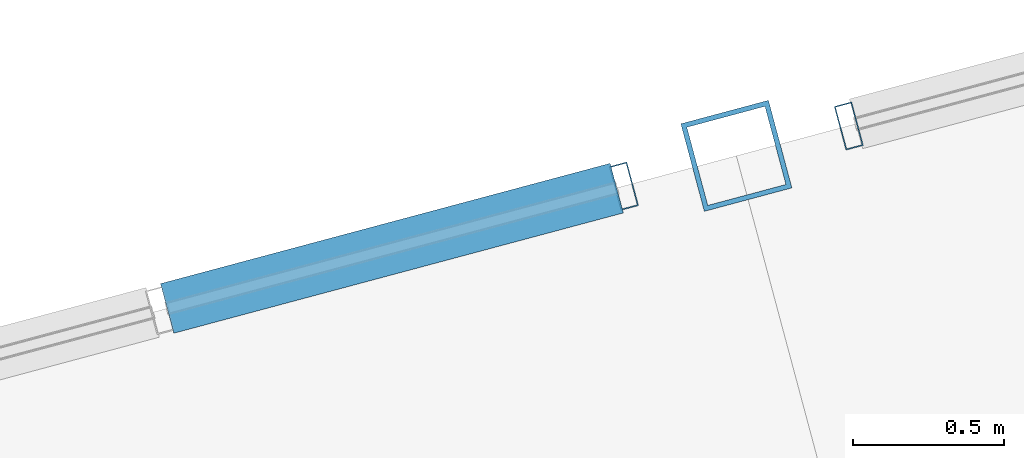
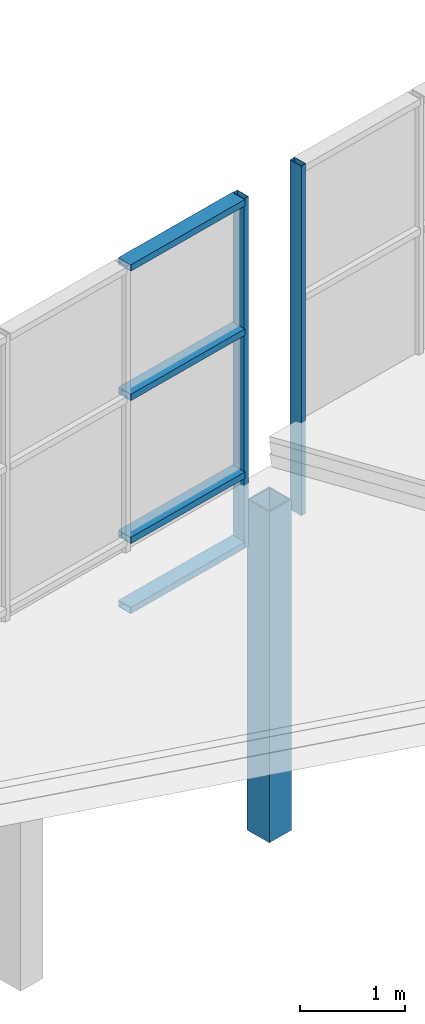
# One storey, part 11 of 28: 7 members, 2 elements without a shape of their own.
"""IFC4 building model written with IfcOpenShell, lengths in metres."""

import ifcopenshell
import ifcopenshell.guid

model = None  # the IFC model being written
_history = None  # IfcOwnerHistory: only IFC2X3 demands one
_inside = {}  # id of a spatial element -> (the spatial element, [elements in it])
_under = {}  # id of a project, library or spatial element -> (it, [spatial elements below it])
_declared = {}  # id of a project -> (the project, [libraries it declares])
_typed = {}  # id of a type object -> (the type object, [elements of that type])
_made_of = {}  # id of a material, layer set ... -> (it, [elements and type objects made of it])


def new_model(schema):
    """Start an empty IFC model of exactly this schema.

    Asked for "IFC4X3", IfcOpenShell would pick the latest addendum, in which some entities
    have other attributes; the version numbers below select the first issue.
    IFC2X3 requires an IfcOwnerHistory on every rooted entity: one is made here for all.
    """
    global model, _history
    if schema == "IFC4X3":
        model = ifcopenshell.file(schema_version=(4, 3, 0, 0))
    else:
        model = ifcopenshell.file(schema=schema)
    _inside.clear()
    _under.clear()
    _declared.clear()
    _typed.clear()
    _made_of.clear()
    _history = None
    if model.schema == "IFC2X3":
        org = make("IfcOrganization", Name="unknown")
        user = make(
            "IfcPersonAndOrganization",
            ThePerson=make("IfcPerson", FamilyName="unknown"),
            TheOrganization=org,
        )
        app = make(
            "IfcApplication",
            ApplicationDeveloper=org,
            Version="unknown",
            ApplicationFullName="unknown",
            ApplicationIdentifier="unknown",
        )
        _history = make(
            "IfcOwnerHistory",
            OwningUser=user,
            OwningApplication=app,
            ChangeAction="ADDED",
            CreationDate=0,
        )
    return model


def make(cls, **values):
    """One entity of the class cls with the attributes given. An attribute that is None is left unset."""
    return model.create_entity(
        cls, **{name: value for name, value in values.items() if value is not None}
    )


def rooted(cls, **values):
    """An entity with a GlobalId (a new one), such as an element, a storey or a relation."""
    return make(cls, GlobalId=ifcopenshell.guid.new(), OwnerHistory=_history, **values)


def si_unit(unit_type, name, prefix=None):
    """IfcSIUnit, for example si_unit("LENGTHUNIT", "METRE", prefix="MILLI")."""
    return make("IfcSIUnit", UnitType=unit_type, Prefix=prefix, Name=name)


def assignment(units):
    """IfcUnitAssignment: the units of a project."""
    return None if units is None else make("IfcUnitAssignment", Units=units)


def point(xyz):
    """IfcCartesianPoint."""
    return None if xyz is None else make("IfcCartesianPoint", Coordinates=xyz)


def direction(xyz):
    """IfcDirection."""
    return None if xyz is None else make("IfcDirection", DirectionRatios=xyz)


def frame(location, z_axis=None, x_axis=None):
    """IfcAxis2Placement3D, a coordinate frame: its origin and axes. An axis left out is left unset."""
    return make(
        "IfcAxis2Placement3D",
        Location=point(location),
        Axis=direction(z_axis),
        RefDirection=direction(x_axis),
    )


def frame_2d(location, x_axis=None):
    """IfcAxis2Placement2D, a coordinate frame in the plane: its origin and x axis."""
    return make(
        "IfcAxis2Placement2D", Location=point(location), RefDirection=direction(x_axis)
    )


def origin():
    """The frame at (0, 0, 0) with its axes left unset."""
    return frame((0.0, 0.0, 0.0))


def origin_2d():
    """The frame at (0, 0) in the plane with its x axis left unset."""
    return frame_2d((0.0, 0.0))


def place(relative_to, where):
    """IfcLocalPlacement: puts the frame where relative to a parent placement (None: the world)."""
    return make(
        "IfcLocalPlacement", PlacementRelTo=relative_to, RelativePlacement=where
    )


def context(
    kind, dimensions, precision=None, world=None, true_north=None, identifier=None
):
    """IfcGeometricRepresentationContext, for example the 3D "Model" context."""
    return make(
        "IfcGeometricRepresentationContext",
        ContextIdentifier=identifier,
        ContextType=kind,
        CoordinateSpaceDimension=dimensions,
        Precision=precision,
        WorldCoordinateSystem=world,
        TrueNorth=true_north,
    )


def subcontext(parent, identifier, kind, view, scale=None):
    """IfcGeometricRepresentationSubContext, for example "Body" below "Model"."""
    return make(
        "IfcGeometricRepresentationSubContext",
        ContextIdentifier=identifier,
        ContextType=kind,
        ParentContext=parent,
        TargetScale=scale,
        TargetView=view,
    )


def project(units=None, contexts=None):
    """IfcProject with its units and contexts."""
    return rooted(
        "IfcProject",
        Name="project",
        RepresentationContexts=contexts,
        UnitsInContext=assignment(units),
    )


def spatial(cls, under=None, at=None, **own):
    """A site, building, storey or space (cls), placed at a placement, below another one or the project."""
    s = rooted(cls, ObjectPlacement=at, **own)
    if under is not None:
        _under.setdefault(under.id(), (under, []))[1].append(s)
    return s


def profile(cls, at=None, kind="AREA", **sizes):
    """A parametric profile (cls). Its sizes go by their IFC names, for example OverallWidth=200.0."""
    return make(cls, ProfileType=kind, Position=at, **sizes)


def hollow_rectangle(**sizes):
    """IfcRectangleHollowProfileDef."""
    return profile("IfcRectangleHollowProfileDef", **sizes)


def extrude(swept, where, along, depth):
    """IfcExtrudedAreaSolid: the profile swept, set in the frame where, extruded along a direction by depth."""
    return make(
        "IfcExtrudedAreaSolid",
        SweptArea=swept,
        Position=where,
        ExtrudedDirection=direction(along),
        Depth=depth,
    )


def shape(context_of_items, identifier, shape_type, items):
    """IfcShapeRepresentation: the items that make up one representation, for example the "Body"."""
    return make(
        "IfcShapeRepresentation",
        ContextOfItems=context_of_items,
        RepresentationIdentifier=identifier,
        RepresentationType=shape_type,
        Items=items,
    )


def material(Name=None, Category=None):
    """IfcMaterial."""
    return make("IfcMaterial", Name=Name, Category=Category)


def layer(
    of_material, thickness, ventilated=None, Name=None, Category=None, Priority=None
):
    """IfcMaterialLayer: one layer of a wall or slab, of a material (None: an air gap)."""
    return make(
        "IfcMaterialLayer",
        Material=of_material,
        LayerThickness=thickness,
        IsVentilated=ventilated,
        Name=Name,
        Category=Category,
        Priority=Priority,
    )


def layer_set(layers, Name=None):
    """IfcMaterialLayerSet."""
    return make("IfcMaterialLayerSet", MaterialLayers=layers, LayerSetName=Name)


def material_profile(
    of_material, cross_section, Name=None, Category=None, Priority=None
):
    """IfcMaterialProfile: a cross section and its material."""
    return make(
        "IfcMaterialProfile",
        Name=Name,
        Material=of_material,
        Profile=cross_section,
        Priority=Priority,
        Category=Category,
    )


def profile_set(profiles, Name=None, composite=None):
    """IfcMaterialProfileSet."""
    return make(
        "IfcMaterialProfileSet",
        Name=Name,
        MaterialProfiles=profiles,
        CompositeProfile=composite,
    )


def made_of(thing, what):
    """Note that an element or type object is made of a material, layer set ...; save() writes the relation."""
    if what is not None:
        _made_of.setdefault(what.id(), (what, []))[1].append(thing)
    return thing


def type_object(cls, material=None, **own):
    """A type object (cls), such as IfcWallType, which elements share."""
    return made_of(rooted(cls, **own), material)


def element(
    cls,
    number,
    at=None,
    inside=None,
    cuts=None,
    type_object=None,
    material=None,
    context=None,
    identifier="Body",
    shape_type=None,
    held_by="IfcProductDefinitionShape",
    body=None,
    shapes=None,
    **own,
):
    """One element of the class cls, such as IfcWall. Its Tag is "e" and its number.

    at: its placement. inside: the storey or other place that contains it. cuts: it is an
    opening in that element (IfcRelVoidsElement). A single representation is given by context,
    identifier, shape_type and body (its items); several are given by shapes. held_by: the class
    of the entity that holds the representations. save() writes the other relations.
    """
    e = rooted(cls, Tag="e%d" % number, ObjectPlacement=at, **own)
    if body is not None:
        shapes = [shape(context, identifier, shape_type, body)]
    if shapes is not None:
        e.Representation = make(held_by, Representations=shapes)
    if inside is not None:
        _inside.setdefault(inside.id(), (inside, []))[1].append(e)
    if cuts is not None:
        rooted(
            "IfcRelVoidsElement", RelatingBuildingElement=cuts, RelatedOpeningElement=e
        )
    if type_object is not None:
        _typed.setdefault(type_object.id(), (type_object, []))[1].append(e)
    return made_of(e, material)


def aggregate(whole, parts):
    """IfcRelAggregates: a whole, such as a stair, and the parts it consists of."""
    return rooted("IfcRelAggregates", RelatingObject=whole, RelatedObjects=parts)


def save(model, path):
    """Write the relations noted so far, then the file.

    IfcRelAggregates (storeys below a building ...), IfcRelContainedInSpatialStructure (elements
    in a storey), IfcRelDefinesByType, IfcRelAssociatesMaterial and IfcRelDeclares: one each for
    every whole, place, type object, material and project.
    """
    for whole, parts in _under.values():
        aggregate(whole, parts)
    for where, things in _inside.values():
        rooted(
            "IfcRelContainedInSpatialStructure",
            RelatedElements=things,
            RelatingStructure=where,
        )
    for kind, things in _typed.values():
        rooted("IfcRelDefinesByType", RelatedObjects=things, RelatingType=kind)
    for what, things in _made_of.values():
        rooted("IfcRelAssociatesMaterial", RelatedObjects=things, RelatingMaterial=what)
    for by, libraries in _declared.values():
        rooted("IfcRelDeclares", RelatingContext=by, RelatedDefinitions=libraries)
    model.write(path)


model = new_model("IFC4")

# Units and contexts
model_context = context("Model", 3, precision=1e-05, world=origin(), true_north=direction((0.0, 1.0)))
body_context = subcontext(model_context, "Body", "Model", "MODEL_VIEW")
ifc_project = project(units=[si_unit("LENGTHUNIT", "METRE"), si_unit("AREAUNIT", "SQUARE_METRE"), si_unit("VOLUMEUNIT", "CUBIC_METRE"), si_unit("PLANEANGLEUNIT", "RADIAN"), si_unit("MASSUNIT", "GRAM", prefix="KILO")], contexts=[model_context])

# Site, building, storey
site_placement = place(None, origin())
site = spatial("IfcSite", under=ifc_project, at=site_placement, CompositionType="ELEMENT")
building_placement = place(site_placement, origin())
building = spatial("IfcBuilding", under=site, at=building_placement, Name="Ventoquebrada Cableway Terminal", CompositionType="ELEMENT")
storey_placement = place(building_placement, frame((0.0, 0.0, 23.39990234375)))
storey = spatial("IfcBuildingStorey", under=building, at=storey_placement, Name="RF", CompositionType="ELEMENT", Elevation=23.39990234375)

# Curtain wall, member
ifc_material_1 = material(Name="Anodized thermally-broken aluminium", Category="aluminium")
ifc_layer = layer(ifc_material_1, 0.159912109375)
ifc_layer_set = layer_set([ifc_layer], Name="Anodized thermally-broken aluminium")
curtain_wall_type = type_object("IfcCurtainWallType", Name="CW-T48", PredefinedType="USERDEFINED", material=ifc_layer_set)
curtain_wall_1_placement = place(storey_placement, origin())
curtain_wall_1 = element("IfcCurtainWall", 1, at=curtain_wall_1_placement, inside=storey, type_object=curtain_wall_type, Name="Unitised glazed curtain wall CW-158", ObjectType="UNITISED CURTAIN WALL", PredefinedType="USERDEFINED")
ifc_material_profile_1 = material_profile(ifc_material_1, hollow_rectangle(XDim=0.06005859375, YDim=0.14990234375, WallThickness=0.00390625, at=origin_2d()), Name="CW-MUL-60X150")
ifc_profile_set_1 = profile_set([ifc_material_profile_1], Name="Anodized thermally-broken aluminium")
member_type_1 = type_object("IfcMemberType", Name="CWM-03", PredefinedType="MULLION", material=ifc_profile_set_1)
member_1_placement = place(storey_placement, frame((65.740966796875, 100.388916015625, -0.06298828125), z_axis=(0.0, 0.0, 1.0), x_axis=(-0.965943892913, -0.258751610128, 0.0)))
member_1 = element("IfcMember", 2, at=member_1_placement, type_object=member_type_1, Name="Curtain wall mullion FML-0767", PredefinedType="MULLION", context=body_context, shape_type="SweptSolid", body=[
    extrude(hollow_rectangle(XDim=0.06005859375, YDim=0.14990234375, WallThickness=0.00390625, at=origin_2d()), origin(), (0.0, 0.0, 1.0), 4.068115234375),
])

curtain_wall_2_placement = place(storey_placement, origin())
curtain_wall_2 = element("IfcCurtainWall", 3, at=curtain_wall_2_placement, inside=storey, type_object=curtain_wall_type, Name="Unitised glazed curtain wall CW-159", ObjectType="UNITISED CURTAIN WALL", PredefinedType="USERDEFINED")
member_2_placement = place(storey_placement, frame((66.485107421875, 100.587890625, -0.06298828125), z_axis=(0.0, 0.0, 1.0), x_axis=(-0.965894198369, -0.258937053273, 0.0)))
member_2 = element("IfcMember", 4, at=member_2_placement, type_object=member_type_1, Name="Curtain wall mullion FML-0776", PredefinedType="MULLION", context=body_context, shape_type="SweptSolid", body=[
    extrude(hollow_rectangle(XDim=0.06005859375, YDim=0.14990234375, WallThickness=0.00390625, at=origin_2d()), origin(), (0.0, 0.0, 1.0), 4.068115234375),
])
aggregate(curtain_wall_2, [member_2])

# Member
ifc_material_profile_2 = material_profile(ifc_material_1, hollow_rectangle(XDim=0.074951171875, YDim=0.169921875, WallThickness=0.00439453125, at=origin_2d()), Name="CW-TRN-75X170")
ifc_profile_set_2 = profile_set([ifc_material_profile_2], Name="Anodized thermally-broken aluminium")
member_type_2 = type_object("IfcMemberType", Name="CWT-03", PredefinedType="USERDEFINED", material=ifc_profile_set_2)
member_3_placement = place(storey_placement, frame((65.717041015625, 100.382080078125, -0.02001953125), z_axis=(-0.966010976588, -0.258501050503, 0.0), x_axis=(0.0, 0.0, 1.0)))
member_3 = element("IfcMember", 5, at=member_3_placement, type_object=member_type_2, Name="Curtain wall transom FTR-2236", ObjectType="TRANSOM", PredefinedType="USERDEFINED", context=body_context, shape_type="SweptSolid", body=[
    extrude(hollow_rectangle(XDim=0.074951171875, YDim=0.169921875, WallThickness=0.00439453125, at=origin_2d()), origin(), (0.0, 0.0, 1.0), 1.540283203125),
])

member_4_placement = place(storey_placement, frame((65.717041015625, 100.382080078125, 0.795166015625), z_axis=(-0.966010976588, -0.258501050503, 0.0), x_axis=(0.0, 0.0, 1.0)))
member_4 = element("IfcMember", 6, at=member_4_placement, type_object=member_type_2, Name="Curtain wall transom FTR-2237", ObjectType="TRANSOM", PredefinedType="USERDEFINED", context=body_context, shape_type="SweptSolid", body=[
    extrude(hollow_rectangle(XDim=0.074951171875, YDim=0.169921875, WallThickness=0.00439453125, at=origin_2d()), origin(), (0.0, 0.0, 1.0), 1.540283203125),
])

member_5_placement = place(storey_placement, frame((65.717041015625, 100.382080078125, 2.458984375), z_axis=(-0.966010976588, -0.258501050503, 0.0), x_axis=(0.0, 0.0, 1.0)))
member_5 = element("IfcMember", 7, at=member_5_placement, type_object=member_type_2, Name="Curtain wall transom FTR-2238", ObjectType="TRANSOM", PredefinedType="USERDEFINED", context=body_context, shape_type="SweptSolid", body=[
    extrude(hollow_rectangle(XDim=0.074951171875, YDim=0.169921875, WallThickness=0.00439453125, at=origin_2d()), origin(), (0.0, 0.0, 1.0), 1.540283203125),
])

member_6_placement = place(storey_placement, frame((65.717041015625, 100.382080078125, 3.965087890625), z_axis=(-0.966010976588, -0.258501050503, 0.0), x_axis=(0.0, 0.0, 1.0)))
member_6 = element("IfcMember", 8, at=member_6_placement, type_object=member_type_2, Name="Curtain wall transom FTR-2239", ObjectType="TRANSOM", PredefinedType="USERDEFINED", context=body_context, shape_type="SweptSolid", body=[
    extrude(hollow_rectangle(XDim=0.074951171875, YDim=0.169921875, WallThickness=0.00439453125, at=origin_2d()), origin(), (0.0, 0.0, 1.0), 1.540283203125),
])

aggregate(curtain_wall_1, [member_1, member_3, member_4, member_5, member_6])

ifc_material_2 = material(Name="Steel ASTM A500 Grade C", Category="steel")
ifc_material_profile_3 = material_profile(ifc_material_2, hollow_rectangle(XDim=0.300048828125, YDim=0.300048828125, WallThickness=0.01611328125, at=origin_2d()), Name="HSS300X300X16")
ifc_profile_set_3 = profile_set([ifc_material_profile_3], Name="Steel ASTM A500 Grade C")
member_type_3 = type_object("IfcMemberType", Name="STR-VS01", PredefinedType="STRUT", material=ifc_profile_set_3)
member_7_placement = place(storey_placement, frame((66.113037109375, 100.489013671875, -3.579833984375), z_axis=(0.0, 0.0, 1.0), x_axis=(0.965925826289, 0.258819045103, 0.0)))
element("IfcMember", 9, at=member_7_placement, inside=storey, type_object=member_type_3, Name="Gridshell deck stand-off post GS-SP-0453", PredefinedType="STRUT", context=body_context, shape_type="SweptSolid", body=[
    extrude(hollow_rectangle(XDim=0.300048828125, YDim=0.300048828125, WallThickness=0.01611328125, at=origin_2d()), origin(), (0.0, 0.0, 1.0), 3.847900390625),
])

save(model, "model.ifc")
